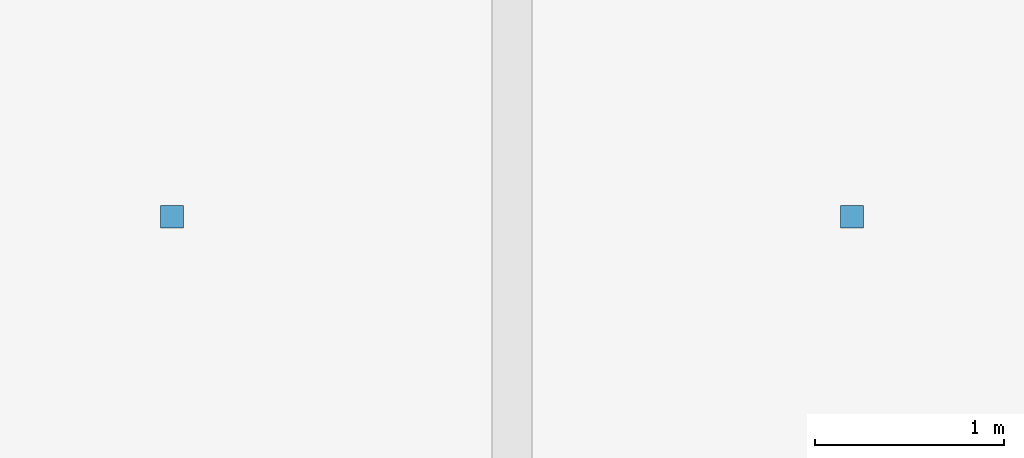
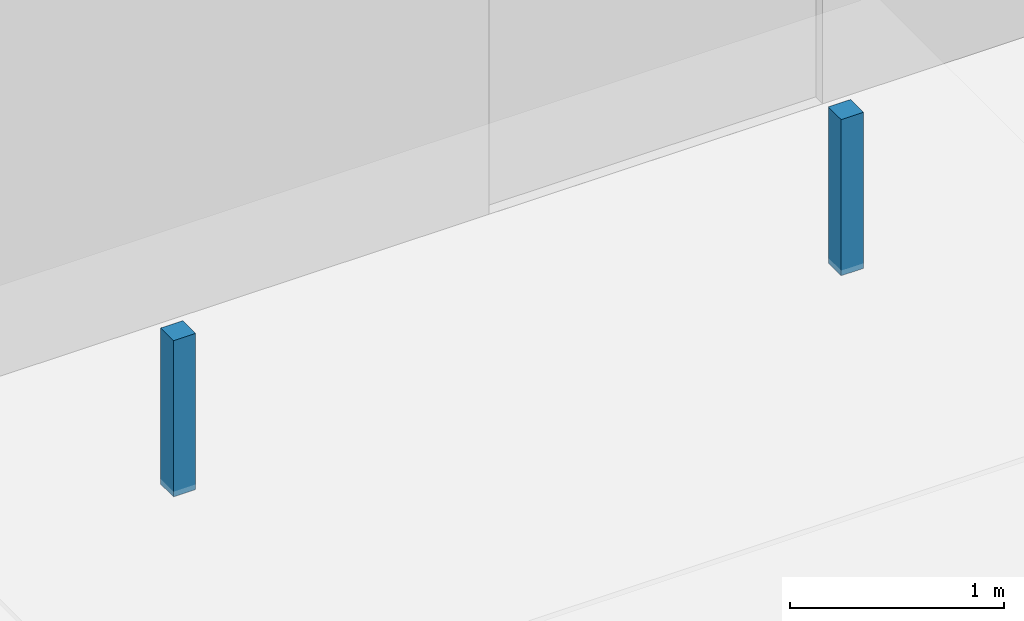
# One storey, part 183 of 220: 2 discrete accessories.
"""IFC4 building model written with IfcOpenShell, lengths in metres."""

from ifc_helpers import new_model, si_unit, direction, frame, origin, origin_2d, place, context, subcontext, project, spatial, rectangle, extrude, material, type_object, element, save


model = new_model("IFC4")

# Units and contexts
model_context = context("Model", 3, precision=1e-05, world=origin(), true_north=direction((0.0, 1.0)))
body_context = subcontext(model_context, "Body", "Model", "MODEL_VIEW")
ifc_project = project(units=[si_unit("LENGTHUNIT", "METRE"), si_unit("AREAUNIT", "SQUARE_METRE"), si_unit("VOLUMEUNIT", "CUBIC_METRE"), si_unit("PLANEANGLEUNIT", "RADIAN"), si_unit("MASSUNIT", "GRAM", prefix="KILO")], contexts=[model_context])

# Site, building, storey
site_placement = place(None, origin())
site = spatial("IfcSite", under=ifc_project, at=site_placement, CompositionType="ELEMENT")
building_placement = place(site_placement, origin())
building = spatial("IfcBuilding", under=site, at=building_placement, Name="Cendralis Lancet Convention Centre", CompositionType="ELEMENT")
storey_placement = place(building_placement, frame((0.0, 0.0, 5.39990234375)))
storey = spatial("IfcBuildingStorey", under=building, at=storey_placement, Name="L01", CompositionType="ELEMENT", Elevation=5.39990234375)

# Discrete accessories
ifc_material = material(Name="Steel S355", Category="steel")
discrete_accessory_type = type_object("IfcDiscreteAccessoryType", Name="ARC-BRK-CLG", PredefinedType="BRACKET", material=ifc_material)
for number, where, z_axis, x_axis, name in (
    (1, (187.800048828125, 115.199951171875, 3.650390625), (0.0, 0.0, 1.0), (1.0, 0.0, 0.0), "L01 Ceiling Suspension Bracket #08-1"),
    (2, (191.39990234375, 115.199951171875, 3.650390625), (0.0, 0.0, 1.0), (1.0, 0.0, 0.0), "L01 Ceiling Suspension Bracket #08-2"),
):
    element("IfcDiscreteAccessory", number, at=place(storey_placement, frame(where, z_axis=z_axis, x_axis=x_axis)), inside=storey, type_object=discrete_accessory_type, Name=name, PredefinedType="BRACKET", context=body_context, shape_type="SweptSolid", body=[
        extrude(rectangle(XDim=0.1201171875, YDim=0.1201171875, at=origin_2d()), origin(), (0.0, 0.0, 1.0), 0.889892578125),
    ])

save(model, "model.ifc")
